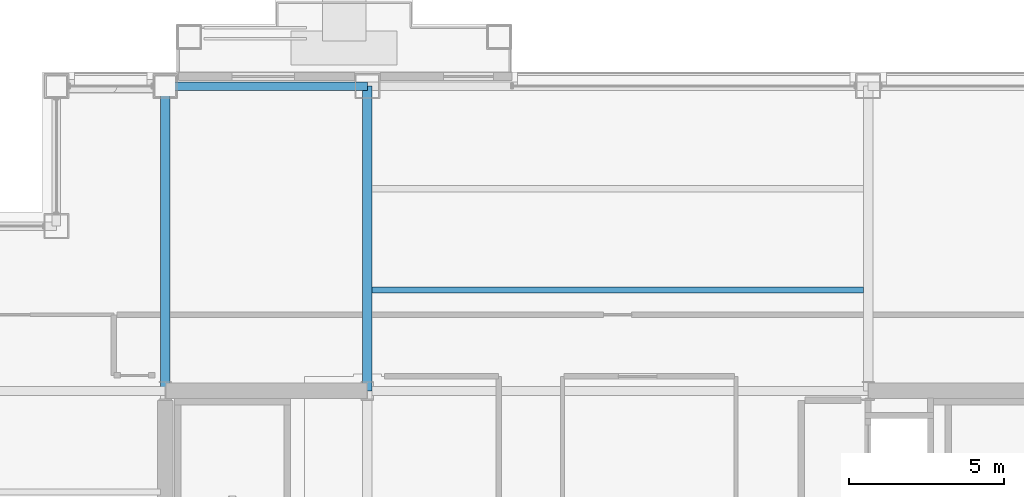
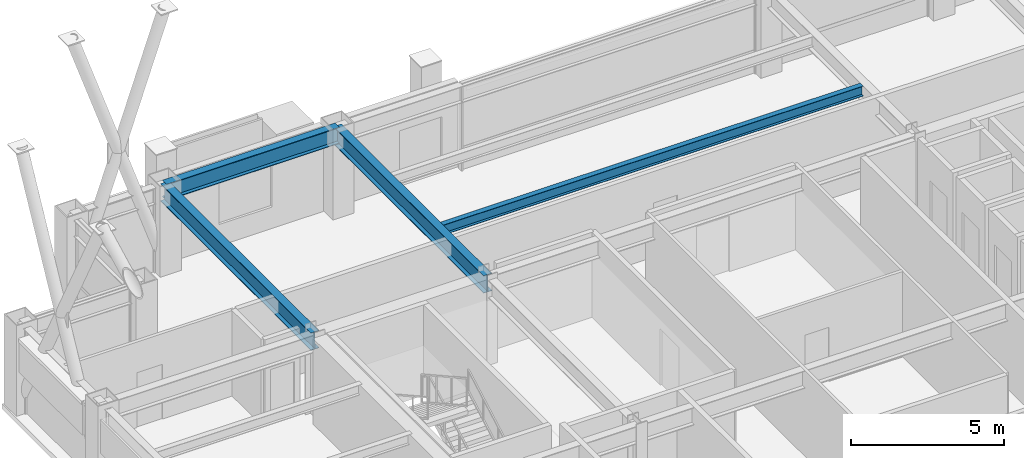
# One storey, part 20 of 35: 4 beams.
"""IFC4 building model written with IfcOpenShell, lengths in metres."""

from ifc_helpers import new_model, si_unit, direction, frame, origin, origin_2d, place, context, subcontext, project, spatial, i_section, extrude, material, material_profile, profile_set, type_object, element, save


model = new_model("IFC4")

# Units and contexts
model_context = context("Model", 3, precision=1e-05, world=origin(), true_north=direction((0.0, 1.0)))
body_context = subcontext(model_context, "Body", "Model", "MODEL_VIEW")
ifc_project = project(units=[si_unit("LENGTHUNIT", "METRE"), si_unit("AREAUNIT", "SQUARE_METRE"), si_unit("VOLUMEUNIT", "CUBIC_METRE"), si_unit("PLANEANGLEUNIT", "RADIAN"), si_unit("MASSUNIT", "GRAM", prefix="KILO")], contexts=[model_context])

# Site, building, storey
site_placement = place(None, origin())
site = spatial("IfcSite", under=ifc_project, at=site_placement, CompositionType="ELEMENT")
building_placement = place(site_placement, origin())
building = spatial("IfcBuilding", under=site, at=building_placement, Name="Brelmoor Portico Tower", CompositionType="ELEMENT")
storey_placement = place(building_placement, frame((0.0, 0.0, 131.39990234375)))
storey = spatial("IfcBuildingStorey", under=building, at=storey_placement, Name="L34", CompositionType="ELEMENT", Elevation=131.39990234375)

# Beams
ifc_material = material(Name="Steel Q355B", Category="steel")
ifc_material_profile_1 = material_profile(ifc_material, i_section(OverallWidth=0.199951171875, OverallDepth=0.39990234375, WebThickness=0.008056640625, FlangeThickness=0.012939453125, at=origin_2d()), Name="HN 400x200x8x13")
ifc_profile_set_1 = profile_set([ifc_material_profile_1], Name="Steel Q355B")
beam_type_1 = type_object("IfcBeamType", Name="BM-JS-400", PredefinedType="JOIST", material=ifc_profile_set_1)
beam_1_placement = place(storey_placement, frame((-7.89990234375, 13.0, 3.2001953125), z_axis=(1.0, 0.0, 0.0), x_axis=(0.0, 1.0, 0.0)))
element("IfcBeam", 1, at=beam_1_placement, inside=storey, type_object=beam_type_1, Name="L34 Secondary Composite Joist JS-C03", PredefinedType="JOIST", context=body_context, shape_type="SweptSolid", body=[
    extrude(i_section(OverallWidth=0.199951171875, OverallDepth=0.39990234375, WebThickness=0.008056640625, FlangeThickness=0.012939453125, at=origin_2d()), origin(), (0.0, 0.0, 1.0), 15.7998046875),
])
ifc_material_profile_2 = material_profile(ifc_material, i_section(OverallWidth=0.300048828125, OverallDepth=0.699951171875, WebThickness=0.012939453125, FlangeThickness=0.02392578125, at=origin_2d()), Name="HN 700x300x13x24")
ifc_profile_set_2 = profile_set([ifc_material_profile_2], Name="Steel Q355B")
beam_type_2 = type_object("IfcBeamType", Name="BM-PG-700", PredefinedType="BEAM", material=ifc_profile_set_2)
for number, where, z_axis, x_axis, name in (
    (2, (-14.550048828125, 9.75, 3.050048828125), (0.0, 1.0, 0.0), (-1.0, 0.0, 0.0), "L34 Primary Floor Girder PG-04"),
    (3, (-8.050048828125, 9.75, 3.050048828125), (0.0, 1.0, 0.0), (-1.0, 0.0, 0.0), "L34 Primary Floor Girder PG-07"),
):
    element("IfcBeam", number, at=place(storey_placement, frame(where, z_axis=z_axis, x_axis=x_axis)), inside=storey, type_object=beam_type_2, Name=name, PredefinedType="BEAM", context=body_context, shape_type="SweptSolid", body=[
        extrude(i_section(OverallWidth=0.300048828125, OverallDepth=0.699951171875, WebThickness=0.012939453125, FlangeThickness=0.02392578125, at=origin_2d()), origin(), (0.0, 0.0, 1.0), 9.800048828125),
    ])
ifc_material_profile_3 = material_profile(ifc_material, i_section(OverallWidth=0.280029296875, OverallDepth=0.64990234375, WebThickness=0.012939453125, FlangeThickness=0.02197265625, at=origin_2d()), Name="HN 650x280x13x22")
ifc_profile_set_3 = profile_set([ifc_material_profile_3], Name="Steel Q355B")
beam_type_3 = type_object("IfcBeamType", Name="BM-SP-650", PredefinedType="SPANDREL", material=ifc_profile_set_3)
beam_2_placement = place(storey_placement, frame((-14.550048828125, 19.550048828125, 3.0751953125), z_axis=(1.0, 0.0, 0.0), x_axis=(0.0, 1.0, 0.0)))
element("IfcBeam", 4, at=beam_2_placement, inside=storey, type_object=beam_type_3, Name="L34 Perimeter Spandrel Beam SP-11", PredefinedType="SPANDREL", context=body_context, shape_type="SweptSolid", body=[
    extrude(i_section(OverallWidth=0.280029296875, OverallDepth=0.64990234375, WebThickness=0.012939453125, FlangeThickness=0.02197265625, at=origin_2d()), origin(), (0.0, 0.0, 1.0), 6.5),
])

save(model, "model.ifc")
